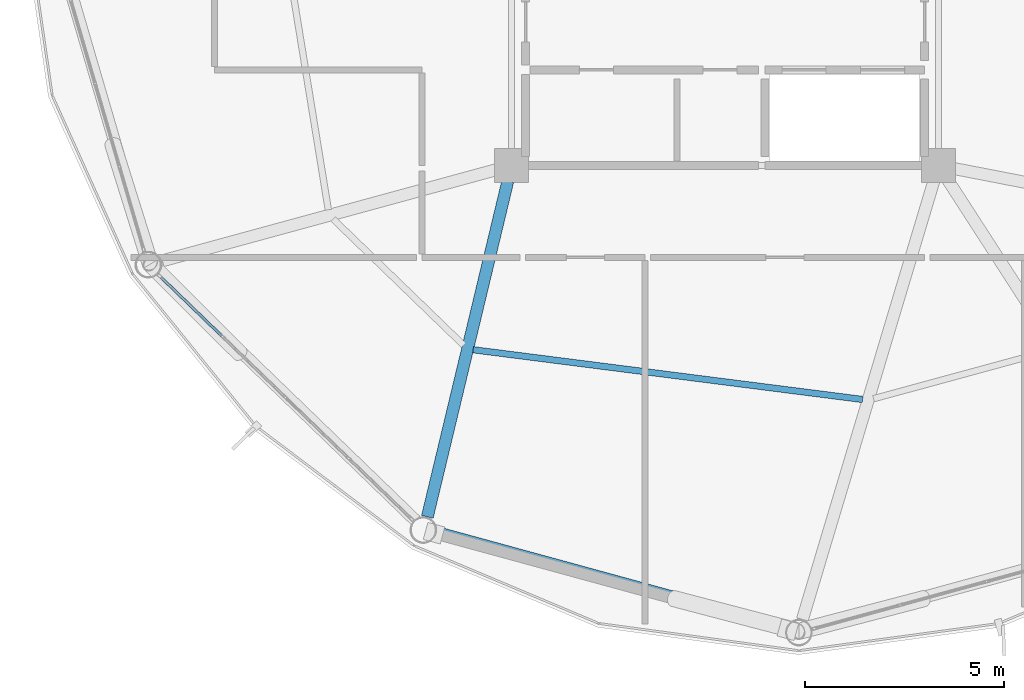
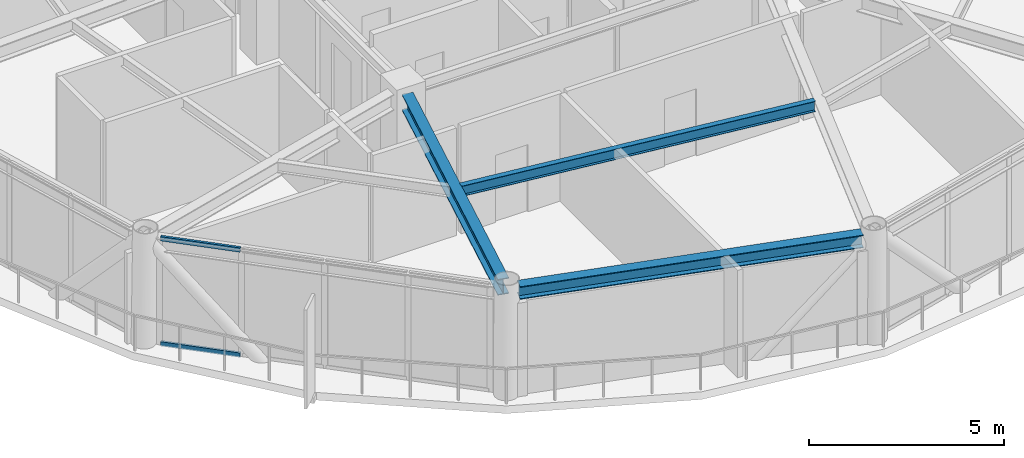
# One storey, part 3 of 26: 3 beams, 2 members, 1 element without a shape of its own.
"""IFC4 building model written with IfcOpenShell, lengths in metres."""

from ifc_helpers import new_model, si_unit, direction, frame, origin, origin_2d, place, context, subcontext, project, spatial, hollow_rectangle, i_section, extrude, material, layer, layer_set, material_profile, profile_set, type_object, element, aggregate, save


model = new_model("IFC4")

# Units and contexts
model_context = context("Model", 3, precision=1e-05, world=origin(), true_north=direction((0.0, 1.0)))
body_context = subcontext(model_context, "Body", "Model", "MODEL_VIEW")
ifc_project = project(units=[si_unit("LENGTHUNIT", "METRE"), si_unit("AREAUNIT", "SQUARE_METRE"), si_unit("VOLUMEUNIT", "CUBIC_METRE"), si_unit("PLANEANGLEUNIT", "RADIAN"), si_unit("MASSUNIT", "GRAM", prefix="KILO")], contexts=[model_context])

# Site, building, storey
site_placement = place(None, origin())
site = spatial("IfcSite", under=ifc_project, at=site_placement, CompositionType="ELEMENT")
building_placement = place(site_placement, origin())
building = spatial("IfcBuilding", under=site, at=building_placement, Name="Varnakorn Sky Granary", CompositionType="ELEMENT")
storey_placement = place(building_placement, frame((0.0, 0.0, 222.0)))
storey = spatial("IfcBuildingStorey", under=building, at=storey_placement, Name="L56", CompositionType="ELEMENT", Elevation=222.0)

# Beams
ifc_material_1 = material(Name="Steel S355JR", Category="steel")
ifc_material_profile_1 = material_profile(ifc_material_1, i_section(OverallWidth=0.300048828125, OverallDepth=0.5, WebThickness=0.014404296875, FlangeThickness=0.028076171875, at=origin_2d()), Name="HE 500 B")
ifc_profile_set_1 = profile_set([ifc_material_profile_1], Name="Steel S355JR")
beam_type_1 = type_object("IfcBeamType", Name="BM-RAD-Z4", PredefinedType="BEAM", material=ifc_profile_set_1)
beam_1_placement = place(storey_placement, frame((-2.4443359375, -6.993896484375, 3.110107421875), z_axis=(-0.233085742417, -0.972456187539, 0.0), x_axis=(0.972456187539, -0.233085742417, 0.0)))
element("IfcBeam", 1, at=beam_1_placement, inside=storey, type_object=beam_type_1, Name="Radial Floor Girder RG09 L56", PredefinedType="BEAM", context=body_context, shape_type="SweptSolid", body=[
    extrude(i_section(OverallWidth=0.300048828125, OverallDepth=0.5, WebThickness=0.014404296875, FlangeThickness=0.028076171875, at=origin_2d()), origin(), (0.0, 0.0, 1.0), 8.648681640625),
])
ifc_material_profile_2 = material_profile(ifc_material_1, i_section(OverallWidth=0.159912109375, OverallDepth=0.330078125, WebThickness=0.007568359375, FlangeThickness=0.011474609375, at=origin_2d()), Name="IPE 330")
ifc_profile_set_2 = profile_set([ifc_material_profile_2], Name="Steel S355JR")
beam_type_2 = type_object("IfcBeamType", Name="BM-SEC-Z4", PredefinedType="BEAM", material=ifc_profile_set_2)
beam_2_placement = place(storey_placement, frame((-3.3134765625, -11.216796875, 3.195068359375), z_axis=(0.991944607108, -0.126672398057, 0.0), x_axis=(0.126672398057, 0.991944607108, 0.0)))
element("IfcBeam", 2, at=beam_2_placement, inside=storey, type_object=beam_type_2, Name="Secondary Floor Chord Beam MSB09 L56", PredefinedType="BEAM", context=body_context, shape_type="SweptSolid", body=[
    extrude(i_section(OverallWidth=0.159912109375, OverallDepth=0.330078125, WebThickness=0.007568359375, FlangeThickness=0.011474609375, at=origin_2d()), origin(), (0.0, 0.0, 1.0), 9.841064453125),
])
ifc_material_profile_3 = material_profile(ifc_material_1, i_section(OverallWidth=0.300048828125, OverallDepth=0.39990234375, WebThickness=0.013427734375, FlangeThickness=0.02392578125, at=origin_2d()), Name="HE 400 B")
ifc_profile_set_3 = profile_set([ifc_material_profile_3], Name="Steel S355JR")
beam_type_3 = type_object("IfcBeamType", Name="BM-SPD-Z4", PredefinedType="SPANDREL", material=ifc_profile_set_3)
beam_3_placement = place(storey_placement, frame((-4.229736328125, -15.793701171875, 3.159912109375), z_axis=(0.964603252537, -0.263705451585, 0.0), x_axis=(0.263705451585, 0.964603252537, 0.0)))
element("IfcBeam", 3, at=beam_3_placement, inside=storey, type_object=beam_type_3, Name="Perimeter Spandrel Ring Beam RB09 L56", PredefinedType="SPANDREL", context=body_context, shape_type="SweptSolid", body=[
    extrude(i_section(OverallWidth=0.300048828125, OverallDepth=0.39990234375, WebThickness=0.013427734375, FlangeThickness=0.02392578125, at=origin_2d()), origin(), (0.0, 0.0, 1.0), 9.097900390625),
])

# Curtain wall, members
ifc_material_2 = material(Name="Anodised Bronze Aluminium Alloy 6063-T6", Category="aluminium")
ifc_layer = layer(ifc_material_2, 0.169921875, Name="Anodised Bronze Aluminium Alloy 6063-T6")
ifc_layer_set = layer_set([ifc_layer], Name="Anodised Bronze Aluminium Alloy 6063-T6")
curtain_wall_type = type_object("IfcCurtainWallType", Name="CW-LAB-1", PredefinedType="USERDEFINED", material=ifc_layer_set)
curtain_wall_placement = place(storey_placement, origin())
curtain_wall = element("IfcCurtainWall", 4, at=curtain_wall_placement, inside=storey, type_object=curtain_wall_type, Name="Unitised Curtain Wall CW5 CW-L56-B08", ObjectType="CURTAIN WALL", PredefinedType="USERDEFINED")
ifc_material_profile_4 = material_profile(ifc_material_2, hollow_rectangle(XDim=0.070068359375, YDim=0.139892578125, WallThickness=0.00341796875, at=origin_2d()), Name="ALU TRAN 70x140")
ifc_profile_set_4 = profile_set([ifc_material_profile_4], Name="Anodised Bronze Aluminium Alloy 6063-T6")
member_type = type_object("IfcMemberType", Name="CW-LAB-1-TRAN", PredefinedType="USERDEFINED", material=ifc_profile_set_4)
member_1_placement = place(storey_placement, frame((-9.620361328125, -10.863525390625, 0.034912109375), z_axis=(-0.71953549209, 0.69445566858, 0.0), x_axis=(-0.69445566858, -0.71953549209, 0.0)))
member_1 = element("IfcMember", 5, at=member_1_placement, type_object=member_type, Name="CW5 transom 4.1", ObjectType="TRANSOM", PredefinedType="USERDEFINED", context=body_context, shape_type="SweptSolid", body=[
    extrude(hollow_rectangle(XDim=0.070068359375, YDim=0.139892578125, WallThickness=0.00341796875, at=origin_2d()), origin(), (0.0, 0.0, 1.0), 2.102783203125),
])
member_2_placement = place(storey_placement, frame((-9.620361328125, -10.863525390625, 3.324951171875), z_axis=(-0.71953549209, 0.69445566858, 0.0), x_axis=(-0.69445566858, -0.71953549209, 0.0)))
member_2 = element("IfcMember", 6, at=member_2_placement, type_object=member_type, Name="CW5 transom 4.2", ObjectType="TRANSOM", PredefinedType="USERDEFINED", context=body_context, shape_type="SweptSolid", body=[
    extrude(hollow_rectangle(XDim=0.070068359375, YDim=0.139892578125, WallThickness=0.00341796875, at=origin_2d()), origin(), (0.0, 0.0, 1.0), 2.102783203125),
])
aggregate(curtain_wall, [member_1, member_2])

save(model, "model.ifc")
